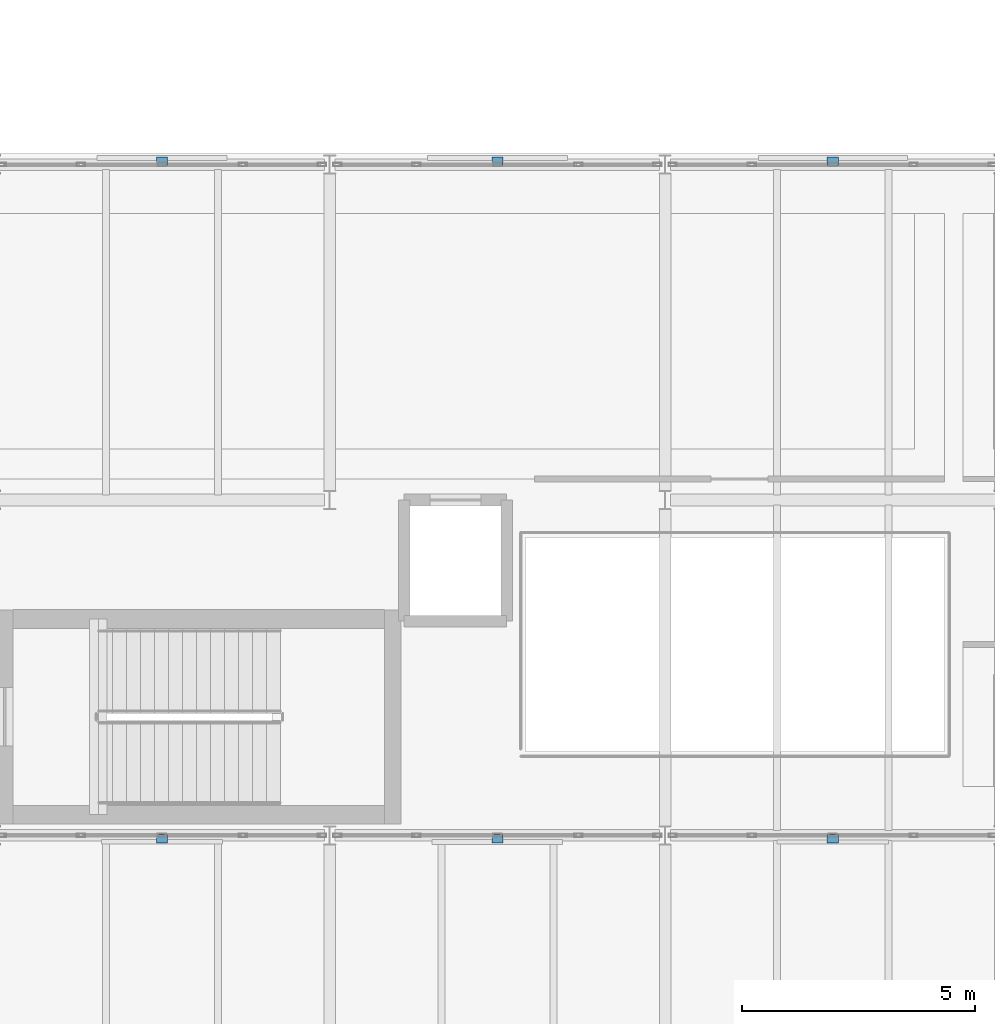
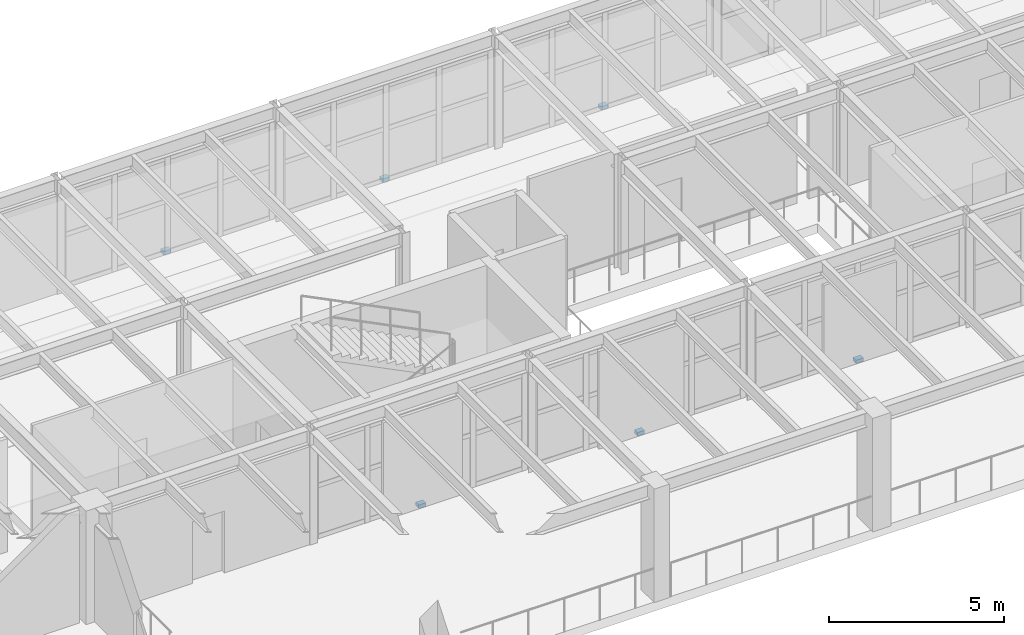
# One storey, part 47 of 59: 6 discrete accessories.
"""IFC4 building model written with IfcOpenShell, lengths in metres."""

from ifc_helpers import new_model, si_unit, direction, frame, origin, origin_2d, place, context, subcontext, project, spatial, rectangle, extrude, material, type_object, element, save


model = new_model("IFC4")

# Units and contexts
model_context = context("Model", 3, precision=1e-05, world=origin(), true_north=direction((0.0, 1.0)))
body_context = subcontext(model_context, "Body", "Model", "MODEL_VIEW")
ifc_project = project(units=[si_unit("LENGTHUNIT", "METRE"), si_unit("AREAUNIT", "SQUARE_METRE"), si_unit("VOLUMEUNIT", "CUBIC_METRE"), si_unit("PLANEANGLEUNIT", "RADIAN"), si_unit("MASSUNIT", "GRAM", prefix="KILO")], contexts=[model_context])

# Site, building, storey
site_placement = place(None, origin())
site = spatial("IfcSite", under=ifc_project, at=site_placement, CompositionType="ELEMENT")
building_placement = place(site_placement, origin())
building = spatial("IfcBuilding", under=site, at=building_placement, Name="Kandorven Conservatory and Botanical Research Centre", CompositionType="ELEMENT")
storey_placement = place(building_placement, frame((0.0, 0.0, 4.800048828125)))
storey = spatial("IfcBuildingStorey", under=building, at=storey_placement, Name="L01", CompositionType="ELEMENT", Elevation=4.800048828125)

# Discrete accessories
ifc_material = material(Name="Steel S355 (IS 2062 E350)", Category="steel")
discrete_accessory_type = type_object("IfcDiscreteAccessoryType", Name="JaliBracket", PredefinedType="BRACKET", material=ifc_material)
for number, where, z_axis, x_axis, name in (
    (1, (52.800048828125, 13.1298828125, -0.010009765625), (0.0, 0.0, 1.0), (1.0, 0.0, 0.0), "Stainless steel jali support bracket BRK-01 #1"),
    (2, (60.0, 13.1298828125, -0.010009765625), (0.0, 0.0, 1.0), (1.0, 0.0, 0.0), "Stainless steel jali support bracket BRK-01 #2"),
    (3, (67.199951171875, 13.1298828125, -0.010009765625), (0.0, 0.0, 1.0), (1.0, 0.0, 0.0), "Stainless steel jali support bracket BRK-01 #3"),
    (4, (52.800048828125, 27.669921875, -0.010009765625), (0.0, 0.0, 1.0), (1.0, 0.0, 0.0), "Stainless steel jali support bracket BRK-01 #5"),
    (5, (60.0, 27.669921875, -0.010009765625), (0.0, 0.0, 1.0), (1.0, 0.0, 0.0), "Stainless steel jali support bracket BRK-01 #6"),
    (6, (67.199951171875, 27.669921875, -0.010009765625), (0.0, 0.0, 1.0), (1.0, 0.0, 0.0), "Stainless steel jali support bracket BRK-01 #7"),
):
    element("IfcDiscreteAccessory", number, at=place(storey_placement, frame(where, z_axis=z_axis, x_axis=x_axis)), inside=storey, type_object=discrete_accessory_type, Name=name, PredefinedType="BRACKET", context=body_context, shape_type="SweptSolid", body=[
        extrude(rectangle(XDim=0.239990234375, YDim=0.179931640625, at=origin_2d()), origin(), (0.0, 0.0, 1.0), 0.1201171875),
    ])

save(model, "model.ifc")
